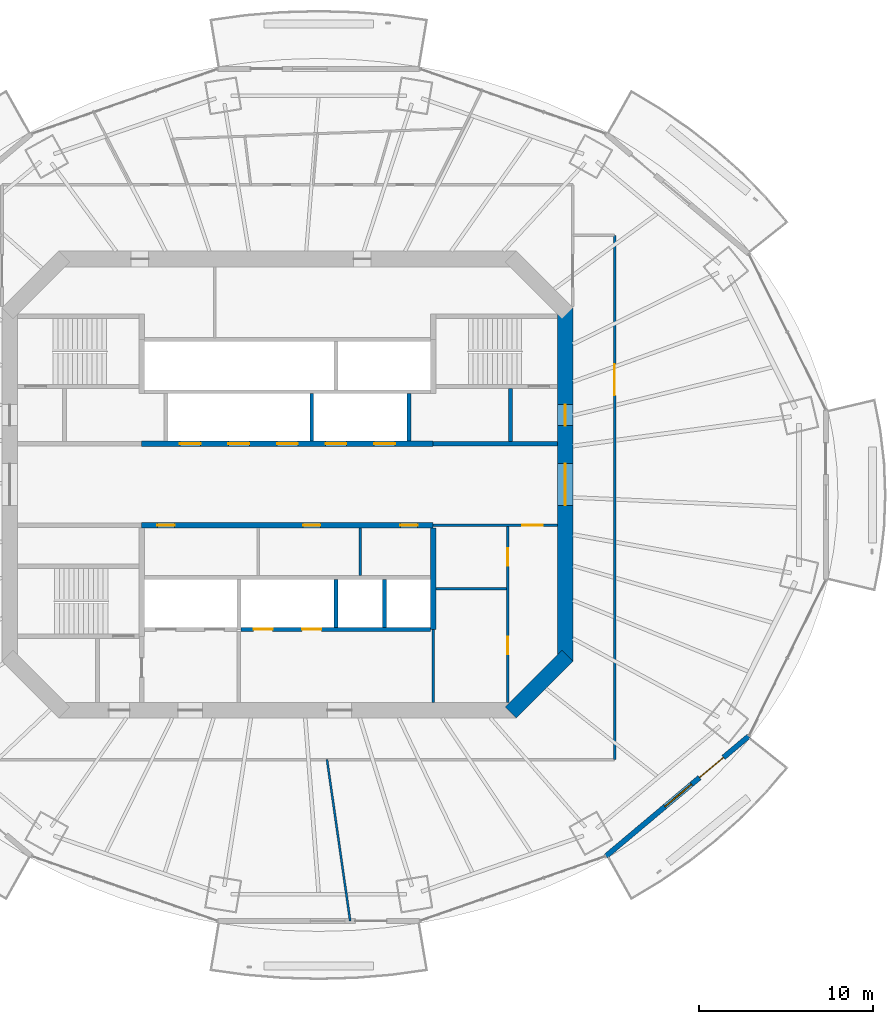
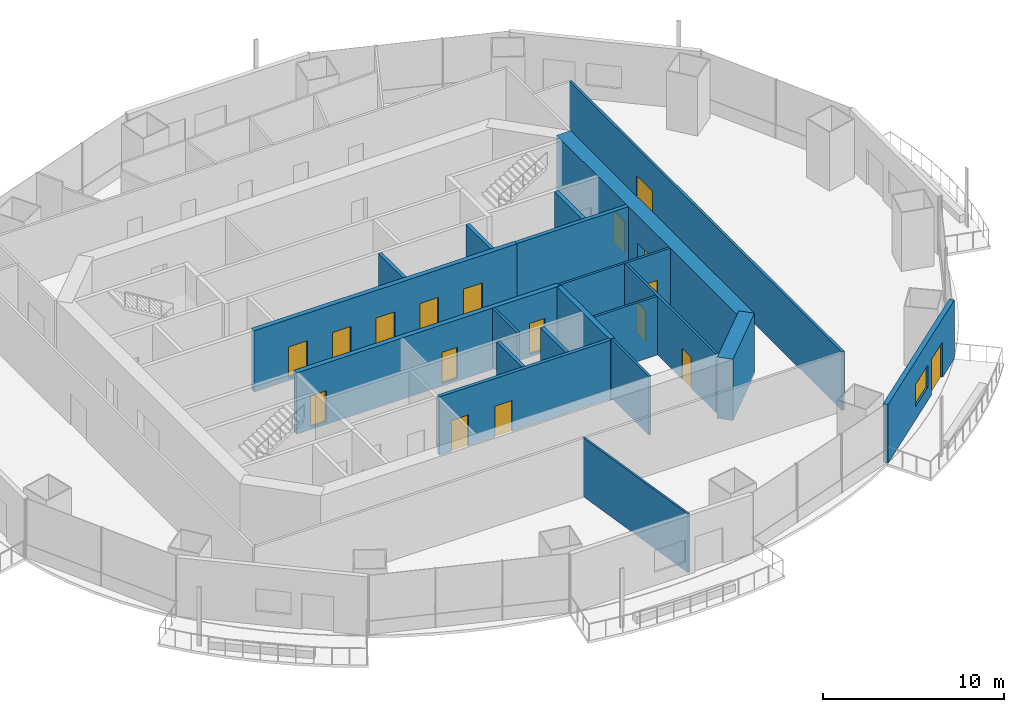
# One storey, part 11 of 19: 20 walls, 17 doors, 1 window, 18 openings.
"""IFC4 building model written with IfcOpenShell, lengths in metres."""

import ifcopenshell
import ifcopenshell.guid

model = None  # the IFC model being written
_history = None  # IfcOwnerHistory: only IFC2X3 demands one
_inside = {}  # id of a spatial element -> (the spatial element, [elements in it])
_under = {}  # id of a project, library or spatial element -> (it, [spatial elements below it])
_declared = {}  # id of a project -> (the project, [libraries it declares])
_typed = {}  # id of a type object -> (the type object, [elements of that type])
_made_of = {}  # id of a material, layer set ... -> (it, [elements and type objects made of it])


def new_model(schema):
    """Start an empty IFC model of exactly this schema.

    Asked for "IFC4X3", IfcOpenShell would pick the latest addendum, in which some entities
    have other attributes; the version numbers below select the first issue.
    IFC2X3 requires an IfcOwnerHistory on every rooted entity: one is made here for all.
    """
    global model, _history
    if schema == "IFC4X3":
        model = ifcopenshell.file(schema_version=(4, 3, 0, 0))
    else:
        model = ifcopenshell.file(schema=schema)
    _inside.clear()
    _under.clear()
    _declared.clear()
    _typed.clear()
    _made_of.clear()
    _history = None
    if model.schema == "IFC2X3":
        org = make("IfcOrganization", Name="unknown")
        user = make(
            "IfcPersonAndOrganization",
            ThePerson=make("IfcPerson", FamilyName="unknown"),
            TheOrganization=org,
        )
        app = make(
            "IfcApplication",
            ApplicationDeveloper=org,
            Version="unknown",
            ApplicationFullName="unknown",
            ApplicationIdentifier="unknown",
        )
        _history = make(
            "IfcOwnerHistory",
            OwningUser=user,
            OwningApplication=app,
            ChangeAction="ADDED",
            CreationDate=0,
        )
    return model


def make(cls, **values):
    """One entity of the class cls with the attributes given. An attribute that is None is left unset."""
    return model.create_entity(
        cls, **{name: value for name, value in values.items() if value is not None}
    )


def rooted(cls, **values):
    """An entity with a GlobalId (a new one), such as an element, a storey or a relation."""
    return make(cls, GlobalId=ifcopenshell.guid.new(), OwnerHistory=_history, **values)


def si_unit(unit_type, name, prefix=None):
    """IfcSIUnit, for example si_unit("LENGTHUNIT", "METRE", prefix="MILLI")."""
    return make("IfcSIUnit", UnitType=unit_type, Prefix=prefix, Name=name)


def assignment(units):
    """IfcUnitAssignment: the units of a project."""
    return None if units is None else make("IfcUnitAssignment", Units=units)


def point(xyz):
    """IfcCartesianPoint."""
    return None if xyz is None else make("IfcCartesianPoint", Coordinates=xyz)


def direction(xyz):
    """IfcDirection."""
    return None if xyz is None else make("IfcDirection", DirectionRatios=xyz)


def frame(location, z_axis=None, x_axis=None):
    """IfcAxis2Placement3D, a coordinate frame: its origin and axes. An axis left out is left unset."""
    return make(
        "IfcAxis2Placement3D",
        Location=point(location),
        Axis=direction(z_axis),
        RefDirection=direction(x_axis),
    )


def frame_2d(location, x_axis=None):
    """IfcAxis2Placement2D, a coordinate frame in the plane: its origin and x axis."""
    return make(
        "IfcAxis2Placement2D", Location=point(location), RefDirection=direction(x_axis)
    )


def origin():
    """The frame at (0, 0, 0) with its axes left unset."""
    return frame((0.0, 0.0, 0.0))


def place(relative_to, where):
    """IfcLocalPlacement: puts the frame where relative to a parent placement (None: the world)."""
    return make(
        "IfcLocalPlacement", PlacementRelTo=relative_to, RelativePlacement=where
    )


def context(
    kind, dimensions, precision=None, world=None, true_north=None, identifier=None
):
    """IfcGeometricRepresentationContext, for example the 3D "Model" context."""
    return make(
        "IfcGeometricRepresentationContext",
        ContextIdentifier=identifier,
        ContextType=kind,
        CoordinateSpaceDimension=dimensions,
        Precision=precision,
        WorldCoordinateSystem=world,
        TrueNorth=true_north,
    )


def subcontext(parent, identifier, kind, view, scale=None):
    """IfcGeometricRepresentationSubContext, for example "Body" below "Model"."""
    return make(
        "IfcGeometricRepresentationSubContext",
        ContextIdentifier=identifier,
        ContextType=kind,
        ParentContext=parent,
        TargetScale=scale,
        TargetView=view,
    )


def project(units=None, contexts=None):
    """IfcProject with its units and contexts."""
    return rooted(
        "IfcProject",
        Name="project",
        RepresentationContexts=contexts,
        UnitsInContext=assignment(units),
    )


def spatial(cls, under=None, at=None, **own):
    """A site, building, storey or space (cls), placed at a placement, below another one or the project."""
    s = rooted(cls, ObjectPlacement=at, **own)
    if under is not None:
        _under.setdefault(under.id(), (under, []))[1].append(s)
    return s


def profile(cls, at=None, kind="AREA", **sizes):
    """A parametric profile (cls). Its sizes go by their IFC names, for example OverallWidth=200.0."""
    return make(cls, ProfileType=kind, Position=at, **sizes)


def rectangle(**sizes):
    """IfcRectangleProfileDef."""
    return profile("IfcRectangleProfileDef", **sizes)


def extrude(swept, where, along, depth):
    """IfcExtrudedAreaSolid: the profile swept, set in the frame where, extruded along a direction by depth."""
    return make(
        "IfcExtrudedAreaSolid",
        SweptArea=swept,
        Position=where,
        ExtrudedDirection=direction(along),
        Depth=depth,
    )


def shape(context_of_items, identifier, shape_type, items):
    """IfcShapeRepresentation: the items that make up one representation, for example the "Body"."""
    return make(
        "IfcShapeRepresentation",
        ContextOfItems=context_of_items,
        RepresentationIdentifier=identifier,
        RepresentationType=shape_type,
        Items=items,
    )


def material(Name=None, Category=None):
    """IfcMaterial."""
    return make("IfcMaterial", Name=Name, Category=Category)


def layer(
    of_material, thickness, ventilated=None, Name=None, Category=None, Priority=None
):
    """IfcMaterialLayer: one layer of a wall or slab, of a material (None: an air gap)."""
    return make(
        "IfcMaterialLayer",
        Material=of_material,
        LayerThickness=thickness,
        IsVentilated=ventilated,
        Name=Name,
        Category=Category,
        Priority=Priority,
    )


def layer_set(layers, Name=None):
    """IfcMaterialLayerSet."""
    return make("IfcMaterialLayerSet", MaterialLayers=layers, LayerSetName=Name)


def made_of(thing, what):
    """Note that an element or type object is made of a material, layer set ...; save() writes the relation."""
    if what is not None:
        _made_of.setdefault(what.id(), (what, []))[1].append(thing)
    return thing


def type_object(cls, material=None, **own):
    """A type object (cls), such as IfcWallType, which elements share."""
    return made_of(rooted(cls, **own), material)


def element(
    cls,
    number,
    at=None,
    inside=None,
    cuts=None,
    type_object=None,
    material=None,
    context=None,
    identifier="Body",
    shape_type=None,
    held_by="IfcProductDefinitionShape",
    body=None,
    shapes=None,
    **own,
):
    """One element of the class cls, such as IfcWall. Its Tag is "e" and its number.

    at: its placement. inside: the storey or other place that contains it. cuts: it is an
    opening in that element (IfcRelVoidsElement). A single representation is given by context,
    identifier, shape_type and body (its items); several are given by shapes. held_by: the class
    of the entity that holds the representations. save() writes the other relations.
    """
    e = rooted(cls, Tag="e%d" % number, ObjectPlacement=at, **own)
    if body is not None:
        shapes = [shape(context, identifier, shape_type, body)]
    if shapes is not None:
        e.Representation = make(held_by, Representations=shapes)
    if inside is not None:
        _inside.setdefault(inside.id(), (inside, []))[1].append(e)
    if cuts is not None:
        rooted(
            "IfcRelVoidsElement", RelatingBuildingElement=cuts, RelatedOpeningElement=e
        )
    if type_object is not None:
        _typed.setdefault(type_object.id(), (type_object, []))[1].append(e)
    return made_of(e, material)


def fill(opening, filler):
    """IfcRelFillsElement: the door or window that sits in an opening."""
    return rooted(
        "IfcRelFillsElement",
        RelatingOpeningElement=opening,
        RelatedBuildingElement=filler,
    )


def aggregate(whole, parts):
    """IfcRelAggregates: a whole, such as a stair, and the parts it consists of."""
    return rooted("IfcRelAggregates", RelatingObject=whole, RelatedObjects=parts)


def save(model, path):
    """Write the relations noted so far, then the file.

    IfcRelAggregates (storeys below a building ...), IfcRelContainedInSpatialStructure (elements
    in a storey), IfcRelDefinesByType, IfcRelAssociatesMaterial and IfcRelDeclares: one each for
    every whole, place, type object, material and project.
    """
    for whole, parts in _under.values():
        aggregate(whole, parts)
    for where, things in _inside.values():
        rooted(
            "IfcRelContainedInSpatialStructure",
            RelatedElements=things,
            RelatingStructure=where,
        )
    for kind, things in _typed.values():
        rooted("IfcRelDefinesByType", RelatedObjects=things, RelatingType=kind)
    for what, things in _made_of.values():
        rooted("IfcRelAssociatesMaterial", RelatedObjects=things, RelatingMaterial=what)
    for by, libraries in _declared.values():
        rooted("IfcRelDeclares", RelatingContext=by, RelatedDefinitions=libraries)
    model.write(path)


model = new_model("IFC4")

# Units and contexts
model_context = context("Model", 3, precision=1e-05, world=origin(), true_north=direction((0.0, 1.0)))
body_context = subcontext(model_context, "Body", "Model", "MODEL_VIEW")
ifc_project = project(units=[si_unit("LENGTHUNIT", "METRE"), si_unit("AREAUNIT", "SQUARE_METRE"), si_unit("VOLUMEUNIT", "CUBIC_METRE"), si_unit("PLANEANGLEUNIT", "RADIAN"), si_unit("MASSUNIT", "GRAM", prefix="KILO")], contexts=[model_context])

# Site, building, storey
site_placement = place(None, origin())
site = spatial("IfcSite", under=ifc_project, at=site_placement, CompositionType="ELEMENT")
building_placement = place(site_placement, origin())
building = spatial("IfcBuilding", under=site, at=building_placement, Name="Marenthal Gate Tower", CompositionType="ELEMENT")
storey_placement = place(building_placement, frame((0.0, 0.0, 248.199951171875)))
storey = spatial("IfcBuildingStorey", under=building, at=storey_placement, Name="L55", CompositionType="ELEMENT", Elevation=248.199951171875)

# Wall
ifc_material_1 = material(Name="Concrete 60 MPa", Category="concrete")
ifc_layer_1 = layer(ifc_material_1, 0.89990234375)
ifc_layer_set_1 = layer_set([ifc_layer_1], Name="Core shear wall 900")
wall_type_1 = type_object("IfcWallType", Name="Core shear wall 900", PredefinedType="SHEAR", material=ifc_layer_set_1)
wall_1_placement = place(storey_placement, frame((12.8681640625, -13.1318359375, -0.179931640625), z_axis=(0.0, 0.0, 1.0), x_axis=(0.707106781187, 0.707106781187, 0.0)))
element("IfcWall", 1, at=wall_1_placement, inside=storey, type_object=wall_type_1, Name="Core wall 01", PredefinedType="SHEAR", context=body_context, shape_type="SweptSolid", body=[
    extrude(rectangle(XDim=4.615478515625, YDim=0.89990234375, at=frame_2d((2.3076171875, 0.0))), origin(), (0.0, 0.0, 1.0), 4.14990234375),
])

# Wall, openings, doors
wall_2_placement = place(storey_placement, frame((16.0, -10.186279296875, -0.179931640625), z_axis=(0.0, 0.0, 1.0), x_axis=(0.0, 1.0, 0.0)))
wall_2 = element("IfcWall", 2, at=wall_2_placement, inside=storey, type_object=wall_type_1, Name="Core wall 02", PredefinedType="SHEAR", context=body_context, shape_type="SweptSolid", body=[
    extrude(rectangle(XDim=20.37255859375, YDim=0.89990234375, at=frame_2d((10.186279296875, 0.0))), origin(), (0.0, 0.0, 1.0), 4.14990234375),
])
opening_1_placement = place(wall_2_placement, frame((8.986328125, 0.0, 0.179931640625)))
opening_1 = element("IfcOpeningElement", 3, at=opening_1_placement, cuts=wall_2, Name="Opening D003.02", PredefinedType="OPENING", context=body_context, shape_type="SweptSolid", body=[
    extrude(rectangle(XDim=2.39990234375, YDim=2.10009765625, at=frame_2d((1.199951171875, 1.050048828125))), frame((0.0, 0.4599609375, 0.0), z_axis=(0.0, -1.0, 0.0), x_axis=(1.0, 0.0, 0.0)), (0.0, 0.0, 1.0), 0.919921875),
])
opening_2_placement = place(wall_2_placement, frame((13.58642578125, 0.0, 0.179931640625)))
opening_2 = element("IfcOpeningElement", 4, at=opening_2_placement, cuts=wall_2, Name="Opening D001.05", PredefinedType="OPENING", context=body_context, shape_type="SweptSolid", body=[
    extrude(rectangle(XDim=1.199951171875, YDim=2.10009765625, at=frame_2d((0.60009765625, 1.050048828125))), frame((0.0, 0.4599609375, 0.0), z_axis=(0.0, -1.0, 0.0), x_axis=(1.0, 0.0, 0.0)), (0.0, 0.0, 1.0), 0.919921875),
])
ifc_material_2 = material(Name="Steel fire door", Category="steel")
door_type_1 = type_object("IfcDoorType", Name="Double fire door FD 45 2400 x 2100", OperationType="DOUBLE_DOOR_SINGLE_SWING", PredefinedType="DOOR", material=ifc_material_2)
door_1_placement = place(opening_1_placement, origin())
door_1 = element("IfcDoor", 5, at=door_1_placement, inside=storey, type_object=door_type_1, Name="Door D003.02", OperationType="DOUBLE_DOOR_SINGLE_SWING", OverallHeight=2.10009765625, OverallWidth=2.39990234375, PredefinedType="DOOR", context=body_context, shape_type="SweptSolid", body=[
    extrude(rectangle(XDim=2.39990234375, YDim=2.10009765625, at=frame_2d((1.199951171875, 1.050048828125))), frame((0.0, 0.02490234375, 0.0), z_axis=(0.0, -1.0, 0.0), x_axis=(1.0, 0.0, 0.0)), (0.0, 0.0, 1.0), 0.050048828125),
])
fill(opening_1, door_1)
ifc_material_3 = material(Name="Steel fire door", Category="steel")
door_type_2 = type_object("IfcDoorType", Name="Fire door FD 90 1200 x 2100", OperationType="NOTDEFINED", PredefinedType="DOOR", material=ifc_material_3)
door_2_placement = place(opening_2_placement, origin())
door_2 = element("IfcDoor", 6, at=door_2_placement, inside=storey, type_object=door_type_2, Name="Door D001.05", OperationType="SINGLE_SWING_RIGHT", OverallHeight=2.10009765625, OverallWidth=1.199951171875, PredefinedType="DOOR", context=body_context, shape_type="SweptSolid", body=[
    extrude(rectangle(XDim=1.199951171875, YDim=2.10009765625, at=frame_2d((0.60009765625, 1.050048828125))), frame((0.0, 0.02490234375, 0.0), z_axis=(0.0, -1.0, 0.0), x_axis=(1.0, 0.0, 0.0)), (0.0, 0.0, 1.0), 0.050048828125),
])
fill(opening_2, door_2)

ifc_material_4 = material(Name="Concrete 50 MPa", Category="concrete")
ifc_layer_2 = layer(ifc_material_4, 0.300048828125)
ifc_layer_set_2 = layer_set([ifc_layer_2], Name="Hoistway shear wall 300")
wall_type_2 = type_object("IfcWallType", Name="Hoistway shear wall 300", PredefinedType="SHEAR", material=ifc_layer_set_2)
wall_3_placement = place(storey_placement, frame((-8.39990234375, -2.35009765625, -0.179931640625), z_axis=(0.0, 0.0, 1.0), x_axis=(1.0, 0.0, 0.0)))
wall_3 = element("IfcWall", 7, at=wall_3_placement, inside=storey, type_object=wall_type_2, Name="Hoistway wall 16", PredefinedType="SHEAR", context=body_context, shape_type="SweptSolid", body=[
    extrude(rectangle(XDim=16.7998046875, YDim=0.300048828125, at=frame_2d((8.39990234375, 0.0))), origin(), (0.0, 0.0, 1.0), 4.14990234375),
])
opening_3_placement = place(wall_3_placement, frame((0.89990234375, 0.0, 0.179931640625)))
opening_3 = element("IfcOpeningElement", 8, at=opening_3_placement, cuts=wall_3, Name="Opening D005.01", PredefinedType="OPENING", context=body_context, shape_type="SweptSolid", body=[
    extrude(rectangle(XDim=1.0, YDim=2.10009765625, at=frame_2d((0.5, 1.050048828125))), frame((0.0, 0.16015625, 0.0), z_axis=(0.0, -1.0, 0.0), x_axis=(1.0, 0.0, 0.0)), (0.0, 0.0, 1.0), 0.320068359375),
])
opening_4_placement = place(wall_3_placement, frame((9.300048828125, 0.0, 0.179931640625)))
opening_4 = element("IfcOpeningElement", 9, at=opening_4_placement, cuts=wall_3, Name="Opening D005.02", PredefinedType="OPENING", context=body_context, shape_type="SweptSolid", body=[
    extrude(rectangle(XDim=1.0, YDim=2.10009765625, at=frame_2d((0.5, 1.050048828125))), frame((0.0, 0.16015625, 0.0), z_axis=(0.0, -1.0, 0.0), x_axis=(1.0, 0.0, 0.0)), (0.0, 0.0, 1.0), 0.320068359375),
])
opening_5_placement = place(wall_3_placement, frame((14.89990234375, 0.0, 0.179931640625)))
opening_5 = element("IfcOpeningElement", 10, at=opening_5_placement, cuts=wall_3, Name="Opening D005.03", PredefinedType="OPENING", context=body_context, shape_type="SweptSolid", body=[
    extrude(rectangle(XDim=1.0, YDim=2.10009765625, at=frame_2d((0.5, 1.050048828125))), frame((0.0, 0.16015625, 0.0), z_axis=(0.0, -1.0, 0.0), x_axis=(1.0, 0.0, 0.0)), (0.0, 0.0, 1.0), 0.320068359375),
])
ifc_material_5 = material(Name="Steel fire door", Category="steel")
door_type_3 = type_object("IfcDoorType", Name="Fire door FD 45 1000 x 2100", OperationType="NOTDEFINED", PredefinedType="DOOR", material=ifc_material_5)
door_3_placement = place(opening_3_placement, frame((1.0, 0.0, 0.0), z_axis=(0.0, 0.0, 1.0), x_axis=(-1.0, 0.0, 0.0)))
door_3 = element("IfcDoor", 11, at=door_3_placement, inside=storey, type_object=door_type_3, Name="Door D005.01", OperationType="SINGLE_SWING_LEFT", OverallHeight=2.10009765625, OverallWidth=1.0, PredefinedType="DOOR", context=body_context, shape_type="SweptSolid", body=[
    extrude(rectangle(XDim=1.0, YDim=2.10009765625, at=frame_2d((0.5, 1.050048828125))), frame((0.0, 0.02490234375, 0.0), z_axis=(0.0, -1.0, 0.0), x_axis=(1.0, 0.0, 0.0)), (0.0, 0.0, 1.0), 0.050048828125),
])
fill(opening_3, door_3)
door_4_placement = place(opening_4_placement, frame((1.0, 0.0, 0.0), z_axis=(0.0, 0.0, 1.0), x_axis=(-1.0, 0.0, 0.0)))
door_4 = element("IfcDoor", 12, at=door_4_placement, inside=storey, type_object=door_type_3, Name="Door D005.02", OperationType="SINGLE_SWING_LEFT", OverallHeight=2.10009765625, OverallWidth=1.0, PredefinedType="DOOR", context=body_context, shape_type="SweptSolid", body=[
    extrude(rectangle(XDim=1.0, YDim=2.10009765625, at=frame_2d((0.5, 1.050048828125))), frame((0.0, 0.02490234375, 0.0), z_axis=(0.0, -1.0, 0.0), x_axis=(1.0, 0.0, 0.0)), (0.0, 0.0, 1.0), 0.050048828125),
])
fill(opening_4, door_4)
door_5_placement = place(opening_5_placement, frame((1.0, 0.0, 0.0), z_axis=(0.0, 0.0, 1.0), x_axis=(-1.0, 0.0, 0.0)))
door_5 = element("IfcDoor", 13, at=door_5_placement, inside=storey, type_object=door_type_3, Name="Door D005.03", OperationType="SINGLE_SWING_LEFT", OverallHeight=2.10009765625, OverallWidth=1.0, PredefinedType="DOOR", context=body_context, shape_type="SweptSolid", body=[
    extrude(rectangle(XDim=1.0, YDim=2.10009765625, at=frame_2d((0.5, 1.050048828125))), frame((0.0, 0.02490234375, 0.0), z_axis=(0.0, -1.0, 0.0), x_axis=(1.0, 0.0, 0.0)), (0.0, 0.0, 1.0), 0.050048828125),
])
fill(opening_5, door_5)

wall_4_placement = place(storey_placement, frame((-8.39990234375, 2.35009765625, -0.179931640625), z_axis=(0.0, 0.0, 1.0), x_axis=(1.0, 0.0, 0.0)))
wall_4 = element("IfcWall", 14, at=wall_4_placement, inside=storey, type_object=wall_type_2, Name="Hoistway wall 19", PredefinedType="SHEAR", context=body_context, shape_type="SweptSolid", body=[
    extrude(rectangle(XDim=16.7998046875, YDim=0.300048828125, at=frame_2d((8.39990234375, 0.0))), origin(), (0.0, 0.0, 1.0), 4.14990234375),
])
opening_6_placement = place(wall_4_placement, frame((2.199951171875, 0.0, 0.179931640625)))
opening_6 = element("IfcOpeningElement", 15, at=opening_6_placement, cuts=wall_4, Name="Opening LD-MP1", PredefinedType="OPENING", context=body_context, shape_type="SweptSolid", body=[
    extrude(rectangle(XDim=1.199951171875, YDim=2.10009765625, at=frame_2d((0.60009765625, 1.050048828125))), frame((0.0, 0.16015625, 0.0), z_axis=(0.0, -1.0, 0.0), x_axis=(1.0, 0.0, 0.0)), (0.0, 0.0, 1.0), 0.320068359375),
])
opening_7_placement = place(wall_4_placement, frame((5.0, 0.0, 0.179931640625)))
opening_7 = element("IfcOpeningElement", 16, at=opening_7_placement, cuts=wall_4, Name="Opening LD-MP2", PredefinedType="OPENING", context=body_context, shape_type="SweptSolid", body=[
    extrude(rectangle(XDim=1.199951171875, YDim=2.10009765625, at=frame_2d((0.60009765625, 1.050048828125))), frame((0.0, 0.16015625, 0.0), z_axis=(0.0, -1.0, 0.0), x_axis=(1.0, 0.0, 0.0)), (0.0, 0.0, 1.0), 0.320068359375),
])
opening_8_placement = place(wall_4_placement, frame((7.800048828125, 0.0, 0.179931640625)))
opening_8 = element("IfcOpeningElement", 17, at=opening_8_placement, cuts=wall_4, Name="Opening LD-MP3", PredefinedType="OPENING", context=body_context, shape_type="SweptSolid", body=[
    extrude(rectangle(XDim=1.199951171875, YDim=2.10009765625, at=frame_2d((0.60009765625, 1.050048828125))), frame((0.0, 0.16015625, 0.0), z_axis=(0.0, -1.0, 0.0), x_axis=(1.0, 0.0, 0.0)), (0.0, 0.0, 1.0), 0.320068359375),
])
opening_9_placement = place(wall_4_placement, frame((10.60009765625, 0.0, 0.179931640625)))
opening_9 = element("IfcOpeningElement", 18, at=opening_9_placement, cuts=wall_4, Name="Opening LD-MP4", PredefinedType="OPENING", context=body_context, shape_type="SweptSolid", body=[
    extrude(rectangle(XDim=1.199951171875, YDim=2.10009765625, at=frame_2d((0.60009765625, 1.050048828125))), frame((0.0, 0.16015625, 0.0), z_axis=(0.0, -1.0, 0.0), x_axis=(1.0, 0.0, 0.0)), (0.0, 0.0, 1.0), 0.320068359375),
])
opening_10_placement = place(wall_4_placement, frame((13.39990234375, 0.0, 0.179931640625)))
opening_10 = element("IfcOpeningElement", 19, at=opening_10_placement, cuts=wall_4, Name="Opening LD-MP5", PredefinedType="OPENING", context=body_context, shape_type="SweptSolid", body=[
    extrude(rectangle(XDim=1.199951171875, YDim=2.10009765625, at=frame_2d((0.60009765625, 1.050048828125))), frame((0.0, 0.16015625, 0.0), z_axis=(0.0, -1.0, 0.0), x_axis=(1.0, 0.0, 0.0)), (0.0, 0.0, 1.0), 0.320068359375),
])
ifc_material_6 = material(Name="Stainless steel sliding door", Category="steel")
door_type_4 = type_object("IfcDoorType", Name="Lift landing door FD 90 1200 x 2100", OperationType="DOUBLE_DOOR_SLIDING", PredefinedType="DOOR", material=ifc_material_6)
door_6_placement = place(opening_6_placement, origin())
door_6 = element("IfcDoor", 20, at=door_6_placement, inside=storey, type_object=door_type_4, Name="Lift landing door MP1", OperationType="DOUBLE_DOOR_SLIDING", OverallHeight=2.10009765625, OverallWidth=1.199951171875, PredefinedType="DOOR", context=body_context, shape_type="SweptSolid", body=[
    extrude(rectangle(XDim=1.199951171875, YDim=2.10009765625, at=frame_2d((0.60009765625, 1.050048828125))), frame((0.0, 0.02490234375, 0.0), z_axis=(0.0, -1.0, 0.0), x_axis=(1.0, 0.0, 0.0)), (0.0, 0.0, 1.0), 0.050048828125),
])
fill(opening_6, door_6)
door_7_placement = place(opening_7_placement, origin())
door_7 = element("IfcDoor", 21, at=door_7_placement, inside=storey, type_object=door_type_4, Name="Lift landing door MP2", OperationType="DOUBLE_DOOR_SLIDING", OverallHeight=2.10009765625, OverallWidth=1.199951171875, PredefinedType="DOOR", context=body_context, shape_type="SweptSolid", body=[
    extrude(rectangle(XDim=1.199951171875, YDim=2.10009765625, at=frame_2d((0.60009765625, 1.050048828125))), frame((0.0, 0.02490234375, 0.0), z_axis=(0.0, -1.0, 0.0), x_axis=(1.0, 0.0, 0.0)), (0.0, 0.0, 1.0), 0.050048828125),
])
fill(opening_7, door_7)
door_8_placement = place(opening_8_placement, origin())
door_8 = element("IfcDoor", 22, at=door_8_placement, inside=storey, type_object=door_type_4, Name="Lift landing door MP3", OperationType="DOUBLE_DOOR_SLIDING", OverallHeight=2.10009765625, OverallWidth=1.199951171875, PredefinedType="DOOR", context=body_context, shape_type="SweptSolid", body=[
    extrude(rectangle(XDim=1.199951171875, YDim=2.10009765625, at=frame_2d((0.60009765625, 1.050048828125))), frame((0.0, 0.02490234375, 0.0), z_axis=(0.0, -1.0, 0.0), x_axis=(1.0, 0.0, 0.0)), (0.0, 0.0, 1.0), 0.050048828125),
])
fill(opening_8, door_8)
door_9_placement = place(opening_9_placement, origin())
door_9 = element("IfcDoor", 23, at=door_9_placement, inside=storey, type_object=door_type_4, Name="Lift landing door MP4", OperationType="DOUBLE_DOOR_SLIDING", OverallHeight=2.10009765625, OverallWidth=1.199951171875, PredefinedType="DOOR", context=body_context, shape_type="SweptSolid", body=[
    extrude(rectangle(XDim=1.199951171875, YDim=2.10009765625, at=frame_2d((0.60009765625, 1.050048828125))), frame((0.0, 0.02490234375, 0.0), z_axis=(0.0, -1.0, 0.0), x_axis=(1.0, 0.0, 0.0)), (0.0, 0.0, 1.0), 0.050048828125),
])
fill(opening_9, door_9)
door_10_placement = place(opening_10_placement, origin())
door_10 = element("IfcDoor", 24, at=door_10_placement, inside=storey, type_object=door_type_4, Name="Lift landing door MP5", OperationType="DOUBLE_DOOR_SLIDING", OverallHeight=2.10009765625, OverallWidth=1.199951171875, PredefinedType="DOOR", context=body_context, shape_type="SweptSolid", body=[
    extrude(rectangle(XDim=1.199951171875, YDim=2.10009765625, at=frame_2d((0.60009765625, 1.050048828125))), frame((0.0, 0.02490234375, 0.0), z_axis=(0.0, -1.0, 0.0), x_axis=(1.0, 0.0, 0.0)), (0.0, 0.0, 1.0), 0.050048828125),
])
fill(opening_10, door_10)

# Wall
wall_5_placement = place(storey_placement, frame((8.39990234375, -8.35009765625, -0.179931640625), z_axis=(0.0, 0.0, 1.0), x_axis=(0.0, 1.0, 0.0)))
element("IfcWall", 25, at=wall_5_placement, inside=storey, type_object=wall_type_2, Name="Hoistway wall 45", PredefinedType="SHEAR", context=body_context, shape_type="SweptSolid", body=[
    extrude(rectangle(XDim=5.85009765625, YDim=0.300048828125, at=frame_2d((2.925048828125, 0.0))), origin(), (0.0, 0.0, 1.0), 4.14990234375),
])

# Wall, openings, doors
ifc_material_7 = material(Name="Concrete 40 MPa", Category="concrete")
ifc_layer_3 = layer(ifc_material_7, 0.219970703125)
ifc_layer_set_3 = layer_set([ifc_layer_3], Name="Hoistway wall 220")
wall_type_3 = type_object("IfcWallType", Name="Hoistway wall 220", PredefinedType="STANDARD", material=ifc_layer_set_3)
wall_6_placement = place(storey_placement, frame((-2.68994140625, -8.35009765625, 0.0), z_axis=(0.0, 0.0, 1.0), x_axis=(1.0, 0.0, 0.0)))
wall_6 = element("IfcWall", 26, at=wall_6_placement, inside=storey, type_object=wall_type_3, Name="Hoistway wall 11", PredefinedType="STANDARD", context=body_context, shape_type="SweptSolid", body=[
    extrude(rectangle(XDim=10.93994140625, YDim=0.219970703125, at=frame_2d((5.469970703125, 0.0))), origin(), (0.0, 0.0, 1.0), 3.969970703125),
])
opening_11_placement = place(wall_6_placement, frame((0.739990234375, 0.0, 0.0)))
opening_11 = element("IfcOpeningElement", 27, at=opening_11_placement, cuts=wall_6, Name="Opening LD-SV1", PredefinedType="OPENING", context=body_context, shape_type="SweptSolid", body=[
    extrude(rectangle(XDim=1.10009765625, YDim=2.10009765625, at=frame_2d((0.550048828125, 1.050048828125))), frame((0.0, 0.1201171875, 0.0), z_axis=(0.0, -1.0, 0.0), x_axis=(1.0, 0.0, 0.0)), (0.0, 0.0, 1.0), 0.239990234375),
])
opening_12_placement = place(wall_6_placement, frame((3.5400390625, 0.0, 0.0)))
opening_12 = element("IfcOpeningElement", 28, at=opening_12_placement, cuts=wall_6, Name="Opening LD-SV2", PredefinedType="OPENING", context=body_context, shape_type="SweptSolid", body=[
    extrude(rectangle(XDim=1.10009765625, YDim=2.10009765625, at=frame_2d((0.550048828125, 1.050048828125))), frame((0.0, 0.1201171875, 0.0), z_axis=(0.0, -1.0, 0.0), x_axis=(1.0, 0.0, 0.0)), (0.0, 0.0, 1.0), 0.239990234375),
])
ifc_material_8 = material(Name="Stainless steel sliding door", Category="steel")
door_type_5 = type_object("IfcDoorType", Name="Lift landing door FD 90 1100 x 2100", OperationType="DOUBLE_DOOR_SLIDING", PredefinedType="DOOR", material=ifc_material_8)
door_11_placement = place(opening_11_placement, origin())
door_11 = element("IfcDoor", 29, at=door_11_placement, inside=storey, type_object=door_type_5, Name="Lift landing door SV1", OperationType="DOUBLE_DOOR_SLIDING", OverallHeight=2.10009765625, OverallWidth=1.10009765625, PredefinedType="DOOR", context=body_context, shape_type="SweptSolid", body=[
    extrude(rectangle(XDim=1.10009765625, YDim=2.10009765625, at=frame_2d((0.550048828125, 1.050048828125))), frame((0.0, 0.02490234375, 0.0), z_axis=(0.0, -1.0, 0.0), x_axis=(1.0, 0.0, 0.0)), (0.0, 0.0, 1.0), 0.050048828125),
])
fill(opening_11, door_11)
door_12_placement = place(opening_12_placement, origin())
door_12 = element("IfcDoor", 30, at=door_12_placement, inside=storey, type_object=door_type_5, Name="Lift landing door SV2", OperationType="DOUBLE_DOOR_SLIDING", OverallHeight=2.10009765625, OverallWidth=1.10009765625, PredefinedType="DOOR", context=body_context, shape_type="SweptSolid", body=[
    extrude(rectangle(XDim=1.10009765625, YDim=2.10009765625, at=frame_2d((0.550048828125, 1.050048828125))), frame((0.0, 0.02490234375, 0.0), z_axis=(0.0, -1.0, 0.0), x_axis=(1.0, 0.0, 0.0)), (0.0, 0.0, 1.0), 0.050048828125),
])
fill(opening_12, door_12)

# Walls
wall_7_placement = place(storey_placement, frame((1.39990234375, 2.5, 0.0), z_axis=(0.0, 0.0, 1.0), x_axis=(0.0, 1.0, 0.0)))
element("IfcWall", 31, at=wall_7_placement, inside=storey, type_object=wall_type_3, Name="Hoistway wall 38", PredefinedType="STANDARD", context=body_context, shape_type="SweptSolid", body=[
    extrude(rectangle(XDim=2.739990234375, YDim=0.219970703125, at=frame_2d((1.3701171875, 0.0))), origin(), (0.0, 0.0, 1.0), 3.969970703125),
])
for number, where, z_axis, x_axis, name in (
    (32, (2.800048828125, -8.239990234375, 0.0), (0.0, 0.0, 1.0), (0.0, 1.0, 0.0), "Hoistway wall 39"),
    (33, (5.60009765625, -8.239990234375, 0.0), (0.0, 0.0, 1.0), (0.0, 1.0, 0.0), "Hoistway wall 42"),
):
    element("IfcWall", number, at=place(storey_placement, frame(where, z_axis=z_axis, x_axis=x_axis)), inside=storey, type_object=wall_type_3, Name=name, PredefinedType="STANDARD", context=body_context, shape_type="SweptSolid", body=[
        extrude(rectangle(XDim=2.780029296875, YDim=0.219970703125, at=frame_2d((1.39013671875, 0.0))), origin(), (0.0, 0.0, 1.0), 3.969970703125),
    ])
wall_8_placement = place(storey_placement, frame((7.0, 2.5, 0.0), z_axis=(0.0, 0.0, 1.0), x_axis=(0.0, 1.0, 0.0)))
element("IfcWall", 34, at=wall_8_placement, inside=storey, type_object=wall_type_3, Name="Hoistway wall 43", PredefinedType="STANDARD", context=body_context, shape_type="SweptSolid", body=[
    extrude(rectangle(XDim=2.739990234375, YDim=0.219970703125, at=frame_2d((1.3701171875, 0.0))), origin(), (0.0, 0.0, 1.0), 3.969970703125),
])
ifc_material_9 = material(Name="Gypsum board on steel studs", Category="steel")
ifc_layer_4 = layer(ifc_material_9, 0.1201171875)
ifc_layer_set_4 = layer_set([ifc_layer_4], Name="Partition 120")
wall_type_4 = type_object("IfcWallType", Name="Partition 120", PredefinedType="PARTITIONING", material=ifc_layer_set_4)
wall_9_placement = place(storey_placement, frame((2.277587890625, -15.85009765625, 0.0), z_axis=(0.0, 0.0, 1.0), x_axis=(0.142221386526, -0.989834873711, 0.0)))
element("IfcWall", 35, at=wall_9_placement, inside=storey, type_object=wall_type_4, Name="Partition wall 58", PredefinedType="PARTITIONING", context=body_context, shape_type="SweptSolid", body=[
    extrude(rectangle(XDim=9.3984375, YDim=0.1201171875, at=frame_2d((4.69921875, 0.0))), origin(), (0.0, 0.0, 1.0), 3.969970703125),
])
ifc_material_10 = material(Name="Gypsum board on steel studs", Category="steel")
ifc_layer_5 = layer(ifc_material_10, 0.14990234375)
ifc_layer_set_5 = layer_set([ifc_layer_5], Name="Partition 150")
wall_type_5 = type_object("IfcWallType", Name="Partition 150", PredefinedType="PARTITIONING", material=ifc_layer_set_5)
wall_10_placement = place(storey_placement, frame((8.550048828125, -6.0, 0.0), z_axis=(0.0, 0.0, 1.0), x_axis=(1.0, 0.0, 0.0)))
element("IfcWall", 36, at=wall_10_placement, inside=storey, type_object=wall_type_5, Name="Partition wall 12", PredefinedType="PARTITIONING", context=body_context, shape_type="SweptSolid", body=[
    extrude(rectangle(XDim=4.074951171875, YDim=0.14990234375, at=frame_2d((2.03759765625, 0.0))), origin(), (0.0, 0.0, 1.0), 3.969970703125),
])

# Wall, opening, door
wall_11_placement = place(storey_placement, frame((8.39990234375, -2.35009765625, 0.0), z_axis=(0.0, 0.0, 1.0), x_axis=(1.0, 0.0, 0.0)))
wall_11 = element("IfcWall", 37, at=wall_11_placement, inside=storey, type_object=wall_type_5, Name="Partition wall 17", PredefinedType="PARTITIONING", context=body_context, shape_type="SweptSolid", body=[
    extrude(rectangle(XDim=7.150146484375, YDim=0.14990234375, at=frame_2d((3.5751953125, 0.0))), origin(), (0.0, 0.0, 1.0), 3.969970703125),
])
opening_13_placement = place(wall_11_placement, frame((5.125, 0.0, 0.0)))
opening_13 = element("IfcOpeningElement", 38, at=opening_13_placement, cuts=wall_11, Name="Opening D006.01", PredefinedType="OPENING", context=body_context, shape_type="SweptSolid", body=[
    extrude(rectangle(XDim=1.199951171875, YDim=2.10009765625, at=frame_2d((0.60009765625, 1.050048828125))), frame((0.0, 0.0849609375, 0.0), z_axis=(0.0, -1.0, 0.0), x_axis=(1.0, 0.0, 0.0)), (0.0, 0.0, 1.0), 0.169921875),
])
ifc_material_11 = material(Name="Steel fire door", Category="steel")
door_type_6 = type_object("IfcDoorType", Name="Fire door FD 45 1200 x 2100", OperationType="NOTDEFINED", PredefinedType="DOOR", material=ifc_material_11)
door_13_placement = place(opening_13_placement, frame((1.199951171875, 0.0, 0.0), z_axis=(0.0, 0.0, 1.0), x_axis=(-1.0, 0.0, 0.0)))
door_13 = element("IfcDoor", 39, at=door_13_placement, inside=storey, type_object=door_type_6, Name="Door D006.01", OperationType="SINGLE_SWING_LEFT", OverallHeight=2.10009765625, OverallWidth=1.199951171875, PredefinedType="DOOR", context=body_context, shape_type="SweptSolid", body=[
    extrude(rectangle(XDim=1.199951171875, YDim=2.10009765625, at=frame_2d((0.60009765625, 1.050048828125))), frame((0.0, 0.02490234375, 0.0), z_axis=(0.0, -1.0, 0.0), x_axis=(1.0, 0.0, 0.0)), (0.0, 0.0, 1.0), 0.050048828125),
])
fill(opening_13, door_13)

# Walls
wall_12_placement = place(storey_placement, frame((4.199951171875, -5.239990234375, 0.0), z_axis=(0.0, 0.0, 1.0), x_axis=(0.0, 1.0, 0.0)))
element("IfcWall", 40, at=wall_12_placement, inside=storey, type_object=wall_type_5, Name="Partition wall 41", PredefinedType="PARTITIONING", context=body_context, shape_type="SweptSolid", body=[
    extrude(rectangle(XDim=2.739990234375, YDim=0.14990234375, at=frame_2d((1.3701171875, 0.0))), origin(), (0.0, 0.0, 1.0), 3.969970703125),
])
wall_13_placement = place(storey_placement, frame((8.39990234375, -12.550048828125, 0.0), z_axis=(0.0, 0.0, 1.0), x_axis=(0.0, 1.0, 0.0)))
element("IfcWall", 41, at=wall_13_placement, inside=storey, type_object=wall_type_5, Name="Partition wall 44", PredefinedType="PARTITIONING", context=body_context, shape_type="SweptSolid", body=[
    extrude(rectangle(XDim=4.199951171875, YDim=0.14990234375, at=frame_2d((2.10009765625, 0.0))), origin(), (0.0, 0.0, 1.0), 3.969970703125),
])

# Wall, openings, doors
wall_14_placement = place(storey_placement, frame((12.699951171875, -12.550048828125, 0.0), z_axis=(0.0, 0.0, 1.0), x_axis=(0.0, 1.0, 0.0)))
wall_14 = element("IfcWall", 42, at=wall_14_placement, inside=storey, type_object=wall_type_5, Name="Partition wall 48", PredefinedType="PARTITIONING", context=body_context, shape_type="SweptSolid", body=[
    extrude(rectangle(XDim=10.125, YDim=0.14990234375, at=frame_2d((5.0625, 0.0))), origin(), (0.0, 0.0, 1.0), 3.969970703125),
])
opening_14_placement = place(wall_14_placement, frame((7.875, 0.0, 0.0)))
opening_14 = element("IfcOpeningElement", 43, at=opening_14_placement, cuts=wall_14, Name="Opening D005.06", PredefinedType="OPENING", context=body_context, shape_type="SweptSolid", body=[
    extrude(rectangle(XDim=1.0, YDim=2.10009765625, at=frame_2d((0.5, 1.050048828125))), frame((0.0, 0.0849609375, 0.0), z_axis=(0.0, -1.0, 0.0), x_axis=(1.0, 0.0, 0.0)), (0.0, 0.0, 1.0), 0.169921875),
])
opening_15_placement = place(wall_14_placement, frame((2.77490234375, 0.0, 0.0)))
opening_15 = element("IfcOpeningElement", 44, at=opening_15_placement, cuts=wall_14, Name="Opening D005.07", PredefinedType="OPENING", context=body_context, shape_type="SweptSolid", body=[
    extrude(rectangle(XDim=1.0, YDim=2.10009765625, at=frame_2d((0.5, 1.050048828125))), frame((0.0, 0.0849609375, 0.0), z_axis=(0.0, -1.0, 0.0), x_axis=(1.0, 0.0, 0.0)), (0.0, 0.0, 1.0), 0.169921875),
])
door_14_placement = place(opening_14_placement, origin())
door_14 = element("IfcDoor", 45, at=door_14_placement, inside=storey, type_object=door_type_3, Name="Door D005.06", OperationType="SINGLE_SWING_RIGHT", OverallHeight=2.10009765625, OverallWidth=1.0, PredefinedType="DOOR", context=body_context, shape_type="SweptSolid", body=[
    extrude(rectangle(XDim=1.0, YDim=2.10009765625, at=frame_2d((0.5, 1.050048828125))), frame((0.0, 0.02490234375, 0.0), z_axis=(0.0, -1.0, 0.0), x_axis=(1.0, 0.0, 0.0)), (0.0, 0.0, 1.0), 0.050048828125),
])
fill(opening_14, door_14)
door_15_placement = place(opening_15_placement, origin())
door_15 = element("IfcDoor", 46, at=door_15_placement, inside=storey, type_object=door_type_3, Name="Door D005.07", OperationType="SINGLE_SWING_RIGHT", OverallHeight=2.10009765625, OverallWidth=1.0, PredefinedType="DOOR", context=body_context, shape_type="SweptSolid", body=[
    extrude(rectangle(XDim=1.0, YDim=2.10009765625, at=frame_2d((0.5, 1.050048828125))), frame((0.0, 0.02490234375, 0.0), z_axis=(0.0, -1.0, 0.0), x_axis=(1.0, 0.0, 0.0)), (0.0, 0.0, 1.0), 0.050048828125),
])
fill(opening_15, door_15)

# Wall, opening, door
wall_15_placement = place(storey_placement, frame((18.85009765625, 14.357177734375, 0.0), z_axis=(0.0, 0.0, 1.0), x_axis=(0.0, -1.0, 0.0)))
wall_15 = element("IfcWall", 47, at=wall_15_placement, inside=storey, type_object=wall_type_5, Name="Partition wall 65", PredefinedType="PARTITIONING", context=body_context, shape_type="SweptSolid", body=[
    extrude(rectangle(XDim=30.207275390625, YDim=0.14990234375, at=frame_2d((15.103515625, 0.0))), origin(), (0.0, 0.0, 1.0), 3.969970703125),
])
opening_16_placement = place(wall_15_placement, frame((7.41796875, 0.0, 0.0)))
opening_16 = element("IfcOpeningElement", 48, at=opening_16_placement, cuts=wall_15, Name="Opening D014.02", PredefinedType="OPENING", context=body_context, shape_type="SweptSolid", body=[
    extrude(rectangle(XDim=1.800048828125, YDim=2.10009765625, at=frame_2d((0.89990234375, 1.050048828125))), frame((0.0, 0.0849609375, 0.0), z_axis=(0.0, -1.0, 0.0), x_axis=(1.0, 0.0, 0.0)), (0.0, 0.0, 1.0), 0.169921875),
])
ifc_material_12 = material(Name="Timber door", Category="wood")
door_type_7 = type_object("IfcDoorType", Name="Double door 1800 x 2100", OperationType="DOUBLE_DOOR_SINGLE_SWING", PredefinedType="DOOR", material=ifc_material_12)
door_16_placement = place(opening_16_placement, origin())
door_16 = element("IfcDoor", 49, at=door_16_placement, inside=storey, type_object=door_type_7, Name="Door D014.02", OperationType="DOUBLE_DOOR_SINGLE_SWING", OverallHeight=2.10009765625, OverallWidth=1.800048828125, PredefinedType="DOOR", context=body_context, shape_type="SweptSolid", body=[
    extrude(rectangle(XDim=1.800048828125, YDim=2.10009765625, at=frame_2d((0.89990234375, 1.050048828125))), frame((0.0, 0.02490234375, 0.0), z_axis=(0.0, -1.0, 0.0), x_axis=(1.0, 0.0, 0.0)), (0.0, 0.0, 1.0), 0.050048828125),
])
fill(opening_16, door_16)

# Walls
ifc_material_13 = material(Name="Concrete 40 MPa", Category="concrete")
ifc_layer_6 = layer(ifc_material_13, 0.25)
ifc_layer_set_6 = layer_set([ifc_layer_6], Name="Stair enclosure wall 250")
wall_type_6 = type_object("IfcWallType", Name="Stair enclosure wall 250", PredefinedType="STANDARD", material=ifc_layer_set_6)
wall_16_placement = place(storey_placement, frame((8.39990234375, 2.35009765625, 0.0), z_axis=(0.0, 0.0, 1.0), x_axis=(1.0, 0.0, 0.0)))
element("IfcWall", 50, at=wall_16_placement, inside=storey, type_object=wall_type_6, Name="Stair wall 20", PredefinedType="STANDARD", context=body_context, shape_type="SweptSolid", body=[
    extrude(rectangle(XDim=7.150146484375, YDim=0.25, at=frame_2d((3.5751953125, 0.0))), origin(), (0.0, 0.0, 1.0), 3.969970703125),
])
wall_17_placement = place(storey_placement, frame((12.85009765625, 2.47509765625, 0.0), z_axis=(0.0, 0.0, 1.0), x_axis=(0.0, 1.0, 0.0)))
element("IfcWall", 51, at=wall_17_placement, inside=storey, type_object=wall_type_6, Name="Stair wall 49", PredefinedType="STANDARD", context=body_context, shape_type="SweptSolid", body=[
    extrude(rectangle(XDim=3.0498046875, YDim=0.25, at=frame_2d((1.52490234375, 0.0))), origin(), (0.0, 0.0, 1.0), 3.969970703125),
])

# Wall, openings, door, window
ifc_material_14 = material(Name="Terracotta cladding on insulated concrete-block backing", Category="masonry")
ifc_layer_7 = layer(ifc_material_14, 0.300048828125)
ifc_layer_set_7 = layer_set([ifc_layer_7], Name="Terracotta facade wall 300")
wall_type_7 = type_object("IfcWallType", Name="Terracotta facade wall 300", PredefinedType="SOLIDWALL", material=ifc_layer_set_7)
wall_18_placement = place(storey_placement, frame((18.357666015625, -21.4150390625, 0.0), z_axis=(0.0, 0.0, 1.0), x_axis=(0.765707104139, 0.643189420522, 0.0)))
wall_18 = element("IfcWall", 52, at=wall_18_placement, inside=storey, type_object=wall_type_7, Name="Terracotta facade wall L55 bay 14", PredefinedType="SOLIDWALL", context=body_context, shape_type="SweptSolid", body=[
    extrude(rectangle(XDim=10.738525390625, YDim=0.300048828125, at=frame_2d((5.369140625, 0.0))), origin(), (0.0, 0.0, 1.0), 3.969970703125),
])
opening_17_placement = place(wall_18_placement, frame((7.03857421875, 0.0, 0.0)))
opening_17 = element("IfcOpeningElement", 53, at=opening_17_placement, cuts=wall_18, Name="Opening BD-L55-14", PredefinedType="OPENING", context=body_context, shape_type="SweptSolid", body=[
    extrude(rectangle(XDim=1.800048828125, YDim=2.39990234375, at=frame_2d((0.89990234375, 1.199951171875))), frame((0.0, 0.16015625, 0.0), z_axis=(0.0, -1.0, 0.0), x_axis=(1.0, 0.0, 0.0)), (0.0, 0.0, 1.0), 0.320068359375),
])
opening_18_placement = place(wall_18_placement, frame((4.4384765625, 0.0, 0.89990234375)))
opening_18 = element("IfcOpeningElement", 54, at=opening_18_placement, cuts=wall_18, Name="Opening WN2-L55-14", PredefinedType="OPENING", context=body_context, shape_type="SweptSolid", body=[
    extrude(rectangle(XDim=2.0, YDim=1.5, at=frame_2d((1.0, 0.75))), frame((0.0, 0.16015625, 0.0), z_axis=(0.0, -1.0, 0.0), x_axis=(1.0, 0.0, 0.0)), (0.0, 0.0, 1.0), 0.320068359375),
])
ifc_material_15 = material(Name="Aluminium and glass", Category="aluminium")
door_type_8 = type_object("IfcDoorType", Name="Balcony door 1800x2400", OperationType="DOUBLE_DOOR_SINGLE_SWING", PredefinedType="DOOR", material=ifc_material_15)
door_17_placement = place(opening_17_placement, origin())
door_17 = element("IfcDoor", 55, at=door_17_placement, inside=storey, type_object=door_type_8, Name="Balcony door L55 bay 14", OperationType="SINGLE_SWING_LEFT", OverallHeight=2.39990234375, OverallWidth=1.800048828125, PredefinedType="DOOR", context=body_context, shape_type="SweptSolid", body=[
    extrude(rectangle(XDim=1.800048828125, YDim=2.39990234375, at=frame_2d((0.89990234375, 1.199951171875))), frame((0.0, 0.02490234375, 0.0), z_axis=(0.0, -1.0, 0.0), x_axis=(1.0, 0.0, 0.0)), (0.0, 0.0, 1.0), 0.050048828125),
])
fill(opening_17, door_17)
ifc_material_16 = material(Name="Aluminium and glass", Category="aluminium")
window_type = type_object("IfcWindowType", Name="Window 2000x1500", PartitioningType="DOUBLE_PANEL_VERTICAL", PredefinedType="WINDOW", material=ifc_material_16)
window_placement = place(opening_18_placement, origin())
window = element("IfcWindow", 56, at=window_placement, inside=storey, type_object=window_type, Name="Window L55 bay 14", OverallHeight=1.5, OverallWidth=2.0, PartitioningType="SINGLE_PANEL", PredefinedType="WINDOW", context=body_context, shape_type="SweptSolid", body=[
    extrude(rectangle(XDim=2.0, YDim=1.5, at=frame_2d((1.0, 0.75))), frame((0.0, 0.030029296875, 0.0), z_axis=(0.0, -1.0, 0.0), x_axis=(1.0, 0.0, 0.0)), (0.0, 0.0, 1.0), 0.06005859375),
])
fill(opening_18, window)

save(model, "model.ifc")
